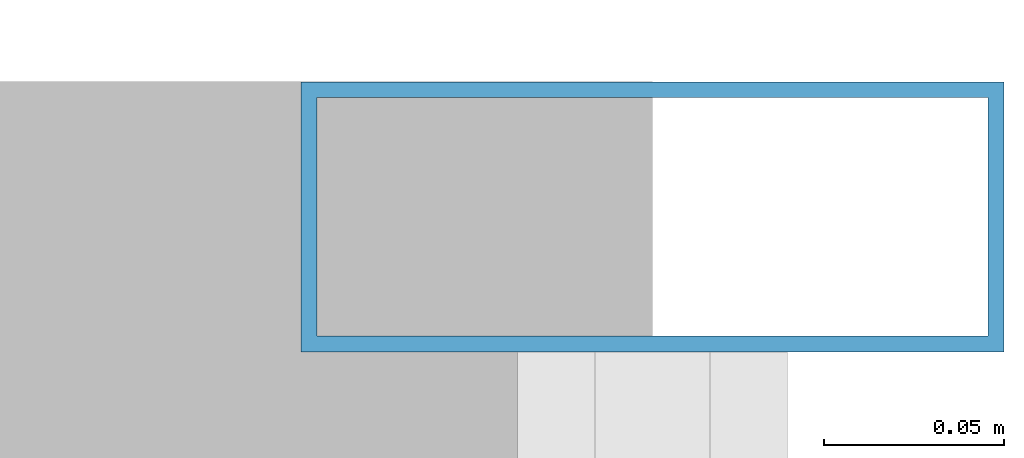
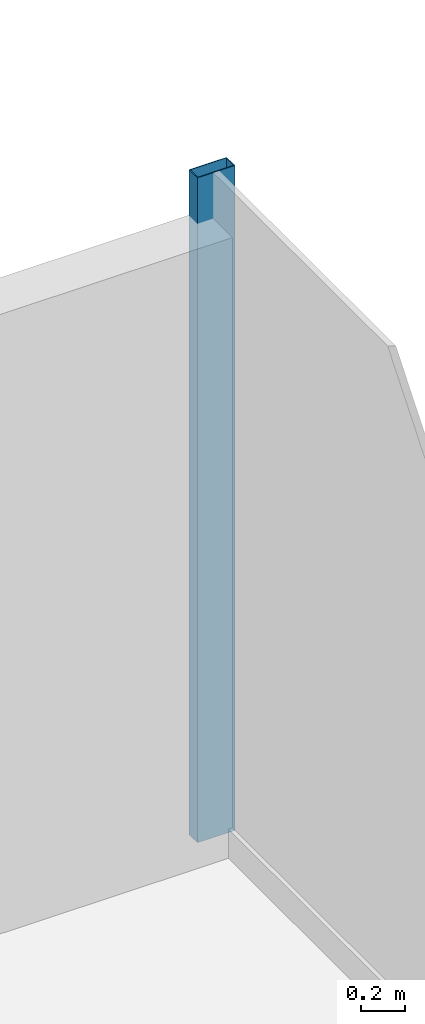
# One storey, part 18 of 25: 1 member, 1 element without a shape of its own.
"""IFC4 building model written with IfcOpenShell, lengths in metres."""

import ifcopenshell
import ifcopenshell.guid

model = None  # the IFC model being written
_history = None  # IfcOwnerHistory: only IFC2X3 demands one
_inside = {}  # id of a spatial element -> (the spatial element, [elements in it])
_under = {}  # id of a project, library or spatial element -> (it, [spatial elements below it])
_declared = {}  # id of a project -> (the project, [libraries it declares])
_typed = {}  # id of a type object -> (the type object, [elements of that type])
_made_of = {}  # id of a material, layer set ... -> (it, [elements and type objects made of it])


def new_model(schema):
    """Start an empty IFC model of exactly this schema.

    Asked for "IFC4X3", IfcOpenShell would pick the latest addendum, in which some entities
    have other attributes; the version numbers below select the first issue.
    IFC2X3 requires an IfcOwnerHistory on every rooted entity: one is made here for all.
    """
    global model, _history
    if schema == "IFC4X3":
        model = ifcopenshell.file(schema_version=(4, 3, 0, 0))
    else:
        model = ifcopenshell.file(schema=schema)
    _inside.clear()
    _under.clear()
    _declared.clear()
    _typed.clear()
    _made_of.clear()
    _history = None
    if model.schema == "IFC2X3":
        org = make("IfcOrganization", Name="unknown")
        user = make(
            "IfcPersonAndOrganization",
            ThePerson=make("IfcPerson", FamilyName="unknown"),
            TheOrganization=org,
        )
        app = make(
            "IfcApplication",
            ApplicationDeveloper=org,
            Version="unknown",
            ApplicationFullName="unknown",
            ApplicationIdentifier="unknown",
        )
        _history = make(
            "IfcOwnerHistory",
            OwningUser=user,
            OwningApplication=app,
            ChangeAction="ADDED",
            CreationDate=0,
        )
    return model


def make(cls, **values):
    """One entity of the class cls with the attributes given. An attribute that is None is left unset."""
    return model.create_entity(
        cls, **{name: value for name, value in values.items() if value is not None}
    )


def rooted(cls, **values):
    """An entity with a GlobalId (a new one), such as an element, a storey or a relation."""
    return make(cls, GlobalId=ifcopenshell.guid.new(), OwnerHistory=_history, **values)


def si_unit(unit_type, name, prefix=None):
    """IfcSIUnit, for example si_unit("LENGTHUNIT", "METRE", prefix="MILLI")."""
    return make("IfcSIUnit", UnitType=unit_type, Prefix=prefix, Name=name)


def derived_unit(unit_type, elements):
    """IfcDerivedUnit: a product of units, each with its exponent."""
    return make(
        "IfcDerivedUnit",
        Elements=[
            make("IfcDerivedUnitElement", Unit=unit, Exponent=power)
            for unit, power in elements
        ],
        UnitType=unit_type,
    )


def assignment(units):
    """IfcUnitAssignment: the units of a project."""
    return None if units is None else make("IfcUnitAssignment", Units=units)


def point(xyz):
    """IfcCartesianPoint."""
    return None if xyz is None else make("IfcCartesianPoint", Coordinates=xyz)


def direction(xyz):
    """IfcDirection."""
    return None if xyz is None else make("IfcDirection", DirectionRatios=xyz)


def frame(location, z_axis=None, x_axis=None):
    """IfcAxis2Placement3D, a coordinate frame: its origin and axes. An axis left out is left unset."""
    return make(
        "IfcAxis2Placement3D",
        Location=point(location),
        Axis=direction(z_axis),
        RefDirection=direction(x_axis),
    )


def frame_2d(location, x_axis=None):
    """IfcAxis2Placement2D, a coordinate frame in the plane: its origin and x axis."""
    return make(
        "IfcAxis2Placement2D", Location=point(location), RefDirection=direction(x_axis)
    )


def origin():
    """The frame at (0, 0, 0) with its axes left unset."""
    return frame((0.0, 0.0, 0.0))


def origin_2d():
    """The frame at (0, 0) in the plane with its x axis left unset."""
    return frame_2d((0.0, 0.0))


def place(relative_to, where):
    """IfcLocalPlacement: puts the frame where relative to a parent placement (None: the world)."""
    return make(
        "IfcLocalPlacement", PlacementRelTo=relative_to, RelativePlacement=where
    )


def context(
    kind, dimensions, precision=None, world=None, true_north=None, identifier=None
):
    """IfcGeometricRepresentationContext, for example the 3D "Model" context."""
    return make(
        "IfcGeometricRepresentationContext",
        ContextIdentifier=identifier,
        ContextType=kind,
        CoordinateSpaceDimension=dimensions,
        Precision=precision,
        WorldCoordinateSystem=world,
        TrueNorth=true_north,
    )


def subcontext(parent, identifier, kind, view, scale=None):
    """IfcGeometricRepresentationSubContext, for example "Body" below "Model"."""
    return make(
        "IfcGeometricRepresentationSubContext",
        ContextIdentifier=identifier,
        ContextType=kind,
        ParentContext=parent,
        TargetScale=scale,
        TargetView=view,
    )


def project(units=None, contexts=None):
    """IfcProject with its units and contexts."""
    return rooted(
        "IfcProject",
        Name="project",
        RepresentationContexts=contexts,
        UnitsInContext=assignment(units),
    )


def spatial(cls, under=None, at=None, **own):
    """A site, building, storey or space (cls), placed at a placement, below another one or the project."""
    s = rooted(cls, ObjectPlacement=at, **own)
    if under is not None:
        _under.setdefault(under.id(), (under, []))[1].append(s)
    return s


def profile(cls, at=None, kind="AREA", **sizes):
    """A parametric profile (cls). Its sizes go by their IFC names, for example OverallWidth=200.0."""
    return make(cls, ProfileType=kind, Position=at, **sizes)


def hollow_rectangle(**sizes):
    """IfcRectangleHollowProfileDef."""
    return profile("IfcRectangleHollowProfileDef", **sizes)


def extrude(swept, where, along, depth):
    """IfcExtrudedAreaSolid: the profile swept, set in the frame where, extruded along a direction by depth."""
    return make(
        "IfcExtrudedAreaSolid",
        SweptArea=swept,
        Position=where,
        ExtrudedDirection=direction(along),
        Depth=depth,
    )


def shape(context_of_items, identifier, shape_type, items):
    """IfcShapeRepresentation: the items that make up one representation, for example the "Body"."""
    return make(
        "IfcShapeRepresentation",
        ContextOfItems=context_of_items,
        RepresentationIdentifier=identifier,
        RepresentationType=shape_type,
        Items=items,
    )


def source(mapping_origin, context_of_items, identifier, shape_type, items):
    """IfcRepresentationMap: a shape defined once, which mapped items show again and again."""
    return make(
        "IfcRepresentationMap",
        MappingOrigin=mapping_origin,
        MappedRepresentation=shape(context_of_items, identifier, shape_type, items),
    )


def transform(
    local_origin,
    x_axis=None,
    y_axis=None,
    z_axis=None,
    scale=None,
    scale2=None,
    scale3=None,
    uniform=True,
):
    """IfcCartesianTransformationOperator3D, or its non-uniform kind. x_axis, y_axis, z_axis: its Axis1, 2, 3."""
    if uniform:
        return make(
            "IfcCartesianTransformationOperator3D",
            Axis1=direction(x_axis),
            Axis2=direction(y_axis),
            LocalOrigin=point(local_origin),
            Scale=scale,
            Axis3=direction(z_axis),
        )
    return make(
        "IfcCartesianTransformationOperator3DnonUniform",
        Axis1=direction(x_axis),
        Axis2=direction(y_axis),
        LocalOrigin=point(local_origin),
        Scale=scale,
        Axis3=direction(z_axis),
        Scale2=scale2,
        Scale3=scale3,
    )


def mapped(mapping_source, mapping_target):
    """IfcMappedItem: shows the shape of a source again, moved by a transform."""
    return make(
        "IfcMappedItem", MappingSource=mapping_source, MappingTarget=mapping_target
    )


def material(Name=None, Category=None):
    """IfcMaterial."""
    return make("IfcMaterial", Name=Name, Category=Category)


def material_profile(
    of_material, cross_section, Name=None, Category=None, Priority=None
):
    """IfcMaterialProfile: a cross section and its material."""
    return make(
        "IfcMaterialProfile",
        Name=Name,
        Material=of_material,
        Profile=cross_section,
        Priority=Priority,
        Category=Category,
    )


def profile_set(profiles, Name=None, composite=None):
    """IfcMaterialProfileSet."""
    return make(
        "IfcMaterialProfileSet",
        Name=Name,
        MaterialProfiles=profiles,
        CompositeProfile=composite,
    )


def made_of(thing, what):
    """Note that an element or type object is made of a material, layer set ...; save() writes the relation."""
    if what is not None:
        _made_of.setdefault(what.id(), (what, []))[1].append(thing)
    return thing


def type_object(cls, material=None, **own):
    """A type object (cls), such as IfcWallType, which elements share."""
    return made_of(rooted(cls, **own), material)


def element(
    cls,
    number,
    at=None,
    inside=None,
    cuts=None,
    type_object=None,
    material=None,
    context=None,
    identifier="Body",
    shape_type=None,
    held_by="IfcProductDefinitionShape",
    body=None,
    shapes=None,
    **own,
):
    """One element of the class cls, such as IfcWall. Its Tag is "e" and its number.

    at: its placement. inside: the storey or other place that contains it. cuts: it is an
    opening in that element (IfcRelVoidsElement). A single representation is given by context,
    identifier, shape_type and body (its items); several are given by shapes. held_by: the class
    of the entity that holds the representations. save() writes the other relations.
    """
    e = rooted(cls, Tag="e%d" % number, ObjectPlacement=at, **own)
    if body is not None:
        shapes = [shape(context, identifier, shape_type, body)]
    if shapes is not None:
        e.Representation = make(held_by, Representations=shapes)
    if inside is not None:
        _inside.setdefault(inside.id(), (inside, []))[1].append(e)
    if cuts is not None:
        rooted(
            "IfcRelVoidsElement", RelatingBuildingElement=cuts, RelatedOpeningElement=e
        )
    if type_object is not None:
        _typed.setdefault(type_object.id(), (type_object, []))[1].append(e)
    return made_of(e, material)


def aggregate(whole, parts):
    """IfcRelAggregates: a whole, such as a stair, and the parts it consists of."""
    return rooted("IfcRelAggregates", RelatingObject=whole, RelatedObjects=parts)


def save(model, path):
    """Write the relations noted so far, then the file.

    IfcRelAggregates (storeys below a building ...), IfcRelContainedInSpatialStructure (elements
    in a storey), IfcRelDefinesByType, IfcRelAssociatesMaterial and IfcRelDeclares: one each for
    every whole, place, type object, material and project.
    """
    for whole, parts in _under.values():
        aggregate(whole, parts)
    for where, things in _inside.values():
        rooted(
            "IfcRelContainedInSpatialStructure",
            RelatedElements=things,
            RelatingStructure=where,
        )
    for kind, things in _typed.values():
        rooted("IfcRelDefinesByType", RelatedObjects=things, RelatingType=kind)
    for what, things in _made_of.values():
        rooted("IfcRelAssociatesMaterial", RelatedObjects=things, RelatingMaterial=what)
    for by, libraries in _declared.values():
        rooted("IfcRelDeclares", RelatingContext=by, RelatedDefinitions=libraries)
    model.write(path)


model = new_model("IFC4")

# Units and contexts
model_context = context("Model", 3, precision=1e-05, world=origin(), true_north=direction((0.0, 1.0)))
body_context = subcontext(model_context, "Body", "Model", "MODEL_VIEW")
ifc_project = project(units=[si_unit("LENGTHUNIT", "METRE"), si_unit("AREAUNIT", "SQUARE_METRE"), si_unit("VOLUMEUNIT", "CUBIC_METRE"), si_unit("PLANEANGLEUNIT", "RADIAN"), si_unit("MASSUNIT", "GRAM", prefix="KILO"), derived_unit("THERMALTRANSMITTANCEUNIT", [(si_unit("POWERUNIT", "WATT"), 1), (si_unit("LENGTHUNIT", "METRE"), -2), (si_unit("THERMODYNAMICTEMPERATUREUNIT", "KELVIN"), -1)])], contexts=[model_context])

# Site, building, storey
site_placement = place(None, origin())
site = spatial("IfcSite", under=ifc_project, at=site_placement, CompositionType="ELEMENT")
building_placement = place(site_placement, origin())
building = spatial("IfcBuilding", under=site, at=building_placement, Name="Skarnbrae Concourse Arena and Tower", CompositionType="ELEMENT")
storey_placement = place(building_placement, frame((0.0, 0.0, 162.5)))
storey = spatial("IfcBuildingStorey", under=building, at=storey_placement, Name="L41", CompositionType="ELEMENT", Elevation=162.5)

# Curtain wall, member
ifc_material = material(Name="Bronze anodised aluminium 6063-T6", Category="aluminium")
curtain_wall_type = type_object("IfcCurtainWallType", Name="CW-SYS-04-MIDZONE", PredefinedType="USERDEFINED", material=ifc_material)
curtain_wall_placement = place(storey_placement, origin())
curtain_wall = element("IfcCurtainWall", 1, at=curtain_wall_placement, inside=storey, type_object=curtain_wall_type, Name="L41 Unitised curtain wall CW-L41-E04", ObjectType="UNITISED CURTAIN WALL", PredefinedType="USERDEFINED")
ifc_material_profile = material_profile(ifc_material, hollow_rectangle(XDim=0.074951171875, YDim=0.195068359375, WallThickness=0.00439453125, at=origin_2d()), Name="ALU-MULL-75X195")
ifc_profile_set = profile_set([ifc_material_profile], Name="Bronze anodised aluminium 6063-T6")
member_type = type_object("IfcMemberType", Name="CWM-CW-04", PredefinedType="MULLION", material=ifc_profile_set)
shared_shape = source(origin(), body_context, "Body", "SweptSolid", [
    extrude(hollow_rectangle(XDim=0.074951171875, YDim=0.195068359375, WallThickness=0.00439453125, at=origin_2d()), origin(), (0.0, 0.0, 1.0), 3.64990234375),
])
member_placement = place(storey_placement, frame((50.0, 32.96240234375, 0.0), z_axis=(0.0, 0.0, 1.0), x_axis=(0.0, 1.0, 0.0)))
member = element("IfcMember", 2, at=member_placement, type_object=member_type, Name="CW-L41-E04 Mullion 5", PredefinedType="MULLION", context=body_context, shape_type="MappedRepresentation", body=[
    mapped(shared_shape, transform((0.0, 0.0, 0.0))),
])
aggregate(curtain_wall, [member])

save(model, "model.ifc")
